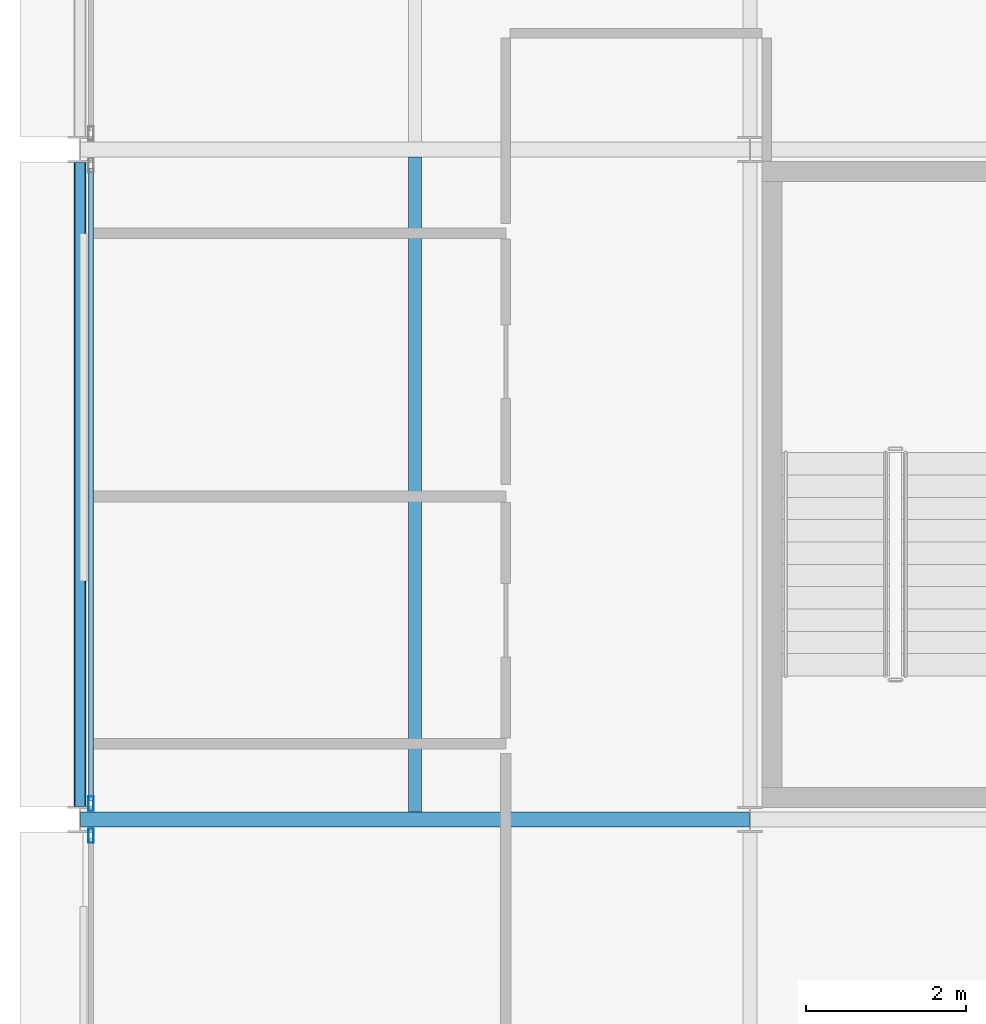
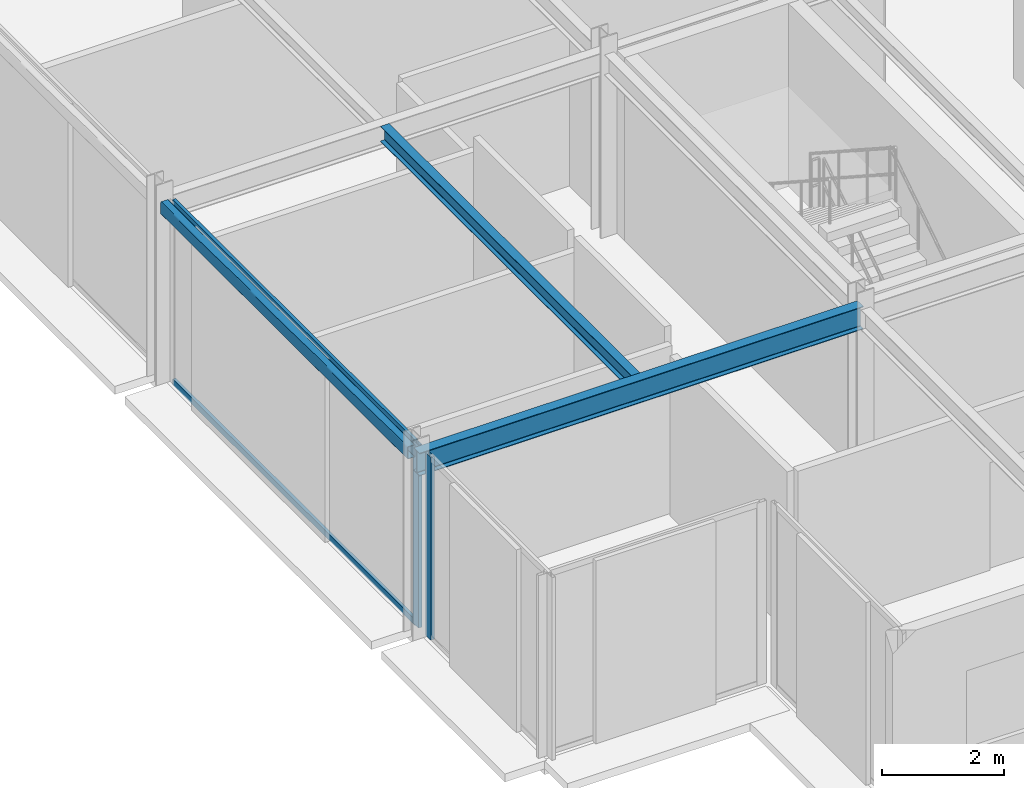
# One storey, part 5 of 25: 4 members, 3 beams, 2 elements without a shape of their own.
"""IFC4 building model written with IfcOpenShell, lengths in metres."""

import ifcopenshell
import ifcopenshell.guid

model = None  # the IFC model being written
_history = None  # IfcOwnerHistory: only IFC2X3 demands one
_inside = {}  # id of a spatial element -> (the spatial element, [elements in it])
_under = {}  # id of a project, library or spatial element -> (it, [spatial elements below it])
_declared = {}  # id of a project -> (the project, [libraries it declares])
_typed = {}  # id of a type object -> (the type object, [elements of that type])
_made_of = {}  # id of a material, layer set ... -> (it, [elements and type objects made of it])


def new_model(schema):
    """Start an empty IFC model of exactly this schema.

    Asked for "IFC4X3", IfcOpenShell would pick the latest addendum, in which some entities
    have other attributes; the version numbers below select the first issue.
    IFC2X3 requires an IfcOwnerHistory on every rooted entity: one is made here for all.
    """
    global model, _history
    if schema == "IFC4X3":
        model = ifcopenshell.file(schema_version=(4, 3, 0, 0))
    else:
        model = ifcopenshell.file(schema=schema)
    _inside.clear()
    _under.clear()
    _declared.clear()
    _typed.clear()
    _made_of.clear()
    _history = None
    if model.schema == "IFC2X3":
        org = make("IfcOrganization", Name="unknown")
        user = make(
            "IfcPersonAndOrganization",
            ThePerson=make("IfcPerson", FamilyName="unknown"),
            TheOrganization=org,
        )
        app = make(
            "IfcApplication",
            ApplicationDeveloper=org,
            Version="unknown",
            ApplicationFullName="unknown",
            ApplicationIdentifier="unknown",
        )
        _history = make(
            "IfcOwnerHistory",
            OwningUser=user,
            OwningApplication=app,
            ChangeAction="ADDED",
            CreationDate=0,
        )
    return model


def make(cls, **values):
    """One entity of the class cls with the attributes given. An attribute that is None is left unset."""
    return model.create_entity(
        cls, **{name: value for name, value in values.items() if value is not None}
    )


def rooted(cls, **values):
    """An entity with a GlobalId (a new one), such as an element, a storey or a relation."""
    return make(cls, GlobalId=ifcopenshell.guid.new(), OwnerHistory=_history, **values)


def si_unit(unit_type, name, prefix=None):
    """IfcSIUnit, for example si_unit("LENGTHUNIT", "METRE", prefix="MILLI")."""
    return make("IfcSIUnit", UnitType=unit_type, Prefix=prefix, Name=name)


def assignment(units):
    """IfcUnitAssignment: the units of a project."""
    return None if units is None else make("IfcUnitAssignment", Units=units)


def point(xyz):
    """IfcCartesianPoint."""
    return None if xyz is None else make("IfcCartesianPoint", Coordinates=xyz)


def direction(xyz):
    """IfcDirection."""
    return None if xyz is None else make("IfcDirection", DirectionRatios=xyz)


def frame(location, z_axis=None, x_axis=None):
    """IfcAxis2Placement3D, a coordinate frame: its origin and axes. An axis left out is left unset."""
    return make(
        "IfcAxis2Placement3D",
        Location=point(location),
        Axis=direction(z_axis),
        RefDirection=direction(x_axis),
    )


def frame_2d(location, x_axis=None):
    """IfcAxis2Placement2D, a coordinate frame in the plane: its origin and x axis."""
    return make(
        "IfcAxis2Placement2D", Location=point(location), RefDirection=direction(x_axis)
    )


def origin():
    """The frame at (0, 0, 0) with its axes left unset."""
    return frame((0.0, 0.0, 0.0))


def origin_2d():
    """The frame at (0, 0) in the plane with its x axis left unset."""
    return frame_2d((0.0, 0.0))


def place(relative_to, where):
    """IfcLocalPlacement: puts the frame where relative to a parent placement (None: the world)."""
    return make(
        "IfcLocalPlacement", PlacementRelTo=relative_to, RelativePlacement=where
    )


def context(
    kind, dimensions, precision=None, world=None, true_north=None, identifier=None
):
    """IfcGeometricRepresentationContext, for example the 3D "Model" context."""
    return make(
        "IfcGeometricRepresentationContext",
        ContextIdentifier=identifier,
        ContextType=kind,
        CoordinateSpaceDimension=dimensions,
        Precision=precision,
        WorldCoordinateSystem=world,
        TrueNorth=true_north,
    )


def subcontext(parent, identifier, kind, view, scale=None):
    """IfcGeometricRepresentationSubContext, for example "Body" below "Model"."""
    return make(
        "IfcGeometricRepresentationSubContext",
        ContextIdentifier=identifier,
        ContextType=kind,
        ParentContext=parent,
        TargetScale=scale,
        TargetView=view,
    )


def project(units=None, contexts=None):
    """IfcProject with its units and contexts."""
    return rooted(
        "IfcProject",
        Name="project",
        RepresentationContexts=contexts,
        UnitsInContext=assignment(units),
    )


def spatial(cls, under=None, at=None, **own):
    """A site, building, storey or space (cls), placed at a placement, below another one or the project."""
    s = rooted(cls, ObjectPlacement=at, **own)
    if under is not None:
        _under.setdefault(under.id(), (under, []))[1].append(s)
    return s


def profile(cls, at=None, kind="AREA", **sizes):
    """A parametric profile (cls). Its sizes go by their IFC names, for example OverallWidth=200.0."""
    return make(cls, ProfileType=kind, Position=at, **sizes)


def hollow_rectangle(**sizes):
    """IfcRectangleHollowProfileDef."""
    return profile("IfcRectangleHollowProfileDef", **sizes)


def i_section(**sizes):
    """IfcIShapeProfileDef."""
    return profile("IfcIShapeProfileDef", **sizes)


def extrude(swept, where, along, depth):
    """IfcExtrudedAreaSolid: the profile swept, set in the frame where, extruded along a direction by depth."""
    return make(
        "IfcExtrudedAreaSolid",
        SweptArea=swept,
        Position=where,
        ExtrudedDirection=direction(along),
        Depth=depth,
    )


def shape(context_of_items, identifier, shape_type, items):
    """IfcShapeRepresentation: the items that make up one representation, for example the "Body"."""
    return make(
        "IfcShapeRepresentation",
        ContextOfItems=context_of_items,
        RepresentationIdentifier=identifier,
        RepresentationType=shape_type,
        Items=items,
    )


def material(Name=None, Category=None):
    """IfcMaterial."""
    return make("IfcMaterial", Name=Name, Category=Category)


def layer(
    of_material, thickness, ventilated=None, Name=None, Category=None, Priority=None
):
    """IfcMaterialLayer: one layer of a wall or slab, of a material (None: an air gap)."""
    return make(
        "IfcMaterialLayer",
        Material=of_material,
        LayerThickness=thickness,
        IsVentilated=ventilated,
        Name=Name,
        Category=Category,
        Priority=Priority,
    )


def layer_set(layers, Name=None):
    """IfcMaterialLayerSet."""
    return make("IfcMaterialLayerSet", MaterialLayers=layers, LayerSetName=Name)


def material_profile(
    of_material, cross_section, Name=None, Category=None, Priority=None
):
    """IfcMaterialProfile: a cross section and its material."""
    return make(
        "IfcMaterialProfile",
        Name=Name,
        Material=of_material,
        Profile=cross_section,
        Priority=Priority,
        Category=Category,
    )


def profile_set(profiles, Name=None, composite=None):
    """IfcMaterialProfileSet."""
    return make(
        "IfcMaterialProfileSet",
        Name=Name,
        MaterialProfiles=profiles,
        CompositeProfile=composite,
    )


def made_of(thing, what):
    """Note that an element or type object is made of a material, layer set ...; save() writes the relation."""
    if what is not None:
        _made_of.setdefault(what.id(), (what, []))[1].append(thing)
    return thing


def type_object(cls, material=None, **own):
    """A type object (cls), such as IfcWallType, which elements share."""
    return made_of(rooted(cls, **own), material)


def element(
    cls,
    number,
    at=None,
    inside=None,
    cuts=None,
    type_object=None,
    material=None,
    context=None,
    identifier="Body",
    shape_type=None,
    held_by="IfcProductDefinitionShape",
    body=None,
    shapes=None,
    **own,
):
    """One element of the class cls, such as IfcWall. Its Tag is "e" and its number.

    at: its placement. inside: the storey or other place that contains it. cuts: it is an
    opening in that element (IfcRelVoidsElement). A single representation is given by context,
    identifier, shape_type and body (its items); several are given by shapes. held_by: the class
    of the entity that holds the representations. save() writes the other relations.
    """
    e = rooted(cls, Tag="e%d" % number, ObjectPlacement=at, **own)
    if body is not None:
        shapes = [shape(context, identifier, shape_type, body)]
    if shapes is not None:
        e.Representation = make(held_by, Representations=shapes)
    if inside is not None:
        _inside.setdefault(inside.id(), (inside, []))[1].append(e)
    if cuts is not None:
        rooted(
            "IfcRelVoidsElement", RelatingBuildingElement=cuts, RelatedOpeningElement=e
        )
    if type_object is not None:
        _typed.setdefault(type_object.id(), (type_object, []))[1].append(e)
    return made_of(e, material)


def aggregate(whole, parts):
    """IfcRelAggregates: a whole, such as a stair, and the parts it consists of."""
    return rooted("IfcRelAggregates", RelatingObject=whole, RelatedObjects=parts)


def save(model, path):
    """Write the relations noted so far, then the file.

    IfcRelAggregates (storeys below a building ...), IfcRelContainedInSpatialStructure (elements
    in a storey), IfcRelDefinesByType, IfcRelAssociatesMaterial and IfcRelDeclares: one each for
    every whole, place, type object, material and project.
    """
    for whole, parts in _under.values():
        aggregate(whole, parts)
    for where, things in _inside.values():
        rooted(
            "IfcRelContainedInSpatialStructure",
            RelatedElements=things,
            RelatingStructure=where,
        )
    for kind, things in _typed.values():
        rooted("IfcRelDefinesByType", RelatedObjects=things, RelatingType=kind)
    for what, things in _made_of.values():
        rooted("IfcRelAssociatesMaterial", RelatedObjects=things, RelatingMaterial=what)
    for by, libraries in _declared.values():
        rooted("IfcRelDeclares", RelatingContext=by, RelatedDefinitions=libraries)
    model.write(path)


model = new_model("IFC4")

# Units and contexts
model_context = context("Model", 3, precision=1e-05, world=origin(), true_north=direction((0.0, 1.0)))
body_context = subcontext(model_context, "Body", "Model", "MODEL_VIEW")
ifc_project = project(units=[si_unit("LENGTHUNIT", "METRE"), si_unit("AREAUNIT", "SQUARE_METRE"), si_unit("VOLUMEUNIT", "CUBIC_METRE"), si_unit("PLANEANGLEUNIT", "RADIAN"), si_unit("MASSUNIT", "GRAM", prefix="KILO")], contexts=[model_context])

# Site, building, storey
site_placement = place(None, origin())
site = spatial("IfcSite", under=ifc_project, at=site_placement, CompositionType="ELEMENT")
building_placement = place(site_placement, origin())
building = spatial("IfcBuilding", under=site, at=building_placement, Name="Nerrivon Quay Data Exchange", CompositionType="ELEMENT")
storey_placement = place(building_placement, frame((0.0, 0.0, 318.199951171875)))
storey = spatial("IfcBuildingStorey", under=building, at=storey_placement, Name="L76", CompositionType="ELEMENT", Elevation=318.199951171875)

# Beams
ifc_material_1 = material(Name="Steel Grade 350", Category="steel")
ifc_material_profile_1 = material_profile(ifc_material_1, i_section(OverallWidth=0.18994140625, OverallDepth=0.4541015625, WebThickness=0.008544921875, FlangeThickness=0.0126953125, FilletRadius=0.011474609375, at=origin_2d()), Name="460UB67.1")
ifc_profile_set_1 = profile_set([ifc_material_profile_1], Name="Steel Grade 350")
beam_type_1 = type_object("IfcBeamType", Name="BM-G6-460UB67", PredefinedType="BEAM", material=ifc_profile_set_1)
beam_1_placement = place(storey_placement, frame((0.0078125, 8.39990234375, 3.423095703125), z_axis=(1.0, 0.0, 0.0), x_axis=(0.0, 1.0, 0.0)))
element("IfcBeam", 1, at=beam_1_placement, inside=storey, type_object=beam_type_1, Name="L76 EW Girder Y=8.4 (0.0..8.4)", PredefinedType="BEAM", context=body_context, shape_type="SweptSolid", body=[
    extrude(i_section(OverallWidth=0.18994140625, OverallDepth=0.4541015625, WebThickness=0.008544921875, FlangeThickness=0.0126953125, FilletRadius=0.011474609375, at=origin_2d()), origin(), (0.0, 0.0, 1.0), 8.38427734375),
])
ifc_material_profile_2 = material_profile(ifc_material_1, i_section(OverallWidth=0.1650390625, OverallDepth=0.303955078125, WebThickness=0.006103515625, FlangeThickness=0.01025390625, FilletRadius=0.011474609375, at=origin_2d()), Name="310UB40.4")
ifc_profile_set_2 = profile_set([ifc_material_profile_2], Name="Steel Grade 350")
beam_type_2 = type_object("IfcBeamType", Name="BM-J6-310UB40", PredefinedType="JOIST", material=ifc_profile_set_2)
beam_2_placement = place(storey_placement, frame((4.199951171875, 8.4951171875, 3.498046875), z_axis=(0.0, 1.0, 0.0), x_axis=(-1.0, 0.0, 0.0)))
element("IfcBeam", 2, at=beam_2_placement, inside=storey, type_object=beam_type_2, Name="L76 Secondary Joist X=4.2 (8.4..16.8)", PredefinedType="JOIST", context=body_context, shape_type="SweptSolid", body=[
    extrude(i_section(OverallWidth=0.1650390625, OverallDepth=0.303955078125, WebThickness=0.006103515625, FlangeThickness=0.01025390625, FilletRadius=0.011474609375, at=origin_2d()), origin(), (0.0, 0.0, 1.0), 8.2099609375),
])
ifc_material_2 = material(Name="Steel Grade C350L0 (350 MPa)", Category="steel")
ifc_material_profile_3 = material_profile(ifc_material_2, hollow_rectangle(XDim=0.14990234375, YDim=0.25, WallThickness=0.009033203125, InnerFilletRadius=0.013427734375, OuterFilletRadius=0.0224609375, at=origin_2d()), Name="250x150x9.0RHS")
ifc_profile_set_3 = profile_set([ifc_material_profile_3], Name="Steel Grade C350L0 (350 MPa)")
beam_type_3 = type_object("IfcBeamType", Name="BM-SP4-250x150RHS", PredefinedType="SPANDREL", material=ifc_profile_set_3)
beam_3_placement = place(storey_placement, frame((0.0, 8.5634765625, 3.525146484375), z_axis=(0.0, 1.0, 0.0), x_axis=(-1.0, 0.0, 0.0)))
element("IfcBeam", 3, at=beam_3_placement, inside=storey, type_object=beam_type_3, Name="L76 NS Girder X=0.0 (8.4..16.8)", PredefinedType="SPANDREL", context=body_context, shape_type="SweptSolid", body=[
    extrude(hollow_rectangle(XDim=0.14990234375, YDim=0.25, WallThickness=0.009033203125, InnerFilletRadius=0.013427734375, OuterFilletRadius=0.0224609375, at=origin_2d()), origin(), (0.0, 0.0, 1.0), 8.072998046875),
])

# Curtain wall, member
ifc_material_3 = material(Name="Anodised aluminium 6063-T6", Category="aluminium")
ifc_layer = layer(ifc_material_3, 0.195068359375)
ifc_layer_set = layer_set([ifc_layer], Name="Anodised aluminium 6063-T6")
curtain_wall_type = type_object("IfcCurtainWallType", Name="CW-SYS-06", PredefinedType="NOTDEFINED", material=ifc_layer_set)
curtain_wall_1_placement = place(storey_placement, origin())
curtain_wall_1 = element("IfcCurtainWall", 4, at=curtain_wall_1_placement, inside=storey, type_object=curtain_wall_type, Name="L76 Unitised Curtain Wall 8", PredefinedType="NOTDEFINED")
ifc_material_profile_4 = material_profile(ifc_material_3, hollow_rectangle(XDim=0.06494140625, YDim=0.179931640625, WallThickness=0.00341796875, at=origin_2d()), Name="ALU-MULL-180x65")
ifc_profile_set_4 = profile_set([ifc_material_profile_4], Name="Anodised aluminium 6063-T6")
member_type_1 = type_object("IfcMemberType", Name="CWM-180x65", PredefinedType="MULLION", material=ifc_profile_set_4)
member_1_placement = place(storey_placement, frame((0.139892578125, 8.198974609375, 0.0), z_axis=(0.0, 0.0, 1.0), x_axis=(-1.0, 0.0, 0.0)))
member_1 = element("IfcMember", 5, at=member_1_placement, type_object=member_type_1, Name="CW06 mullion 2", PredefinedType="MULLION", context=body_context, shape_type="SweptSolid", body=[
    extrude(hollow_rectangle(XDim=0.06494140625, YDim=0.179931640625, WallThickness=0.00341796875, at=origin_2d()), origin(), (0.0, 0.0, 1.0), 3.650146484375),
])
aggregate(curtain_wall_1, [member_1])

# Curtain wall, members
curtain_wall_2_placement = place(storey_placement, origin())
curtain_wall_2 = element("IfcCurtainWall", 6, at=curtain_wall_2_placement, inside=storey, type_object=curtain_wall_type, Name="L76 Unitised Curtain Wall 9", PredefinedType="NOTDEFINED")
member_2_placement = place(storey_placement, frame((0.139892578125, 8.60107421875, 0.0), z_axis=(0.0, 0.0, 1.0), x_axis=(-1.0, 0.0, 0.0)))
member_2 = element("IfcMember", 7, at=member_2_placement, type_object=member_type_1, Name="CW06 mullion 1", PredefinedType="MULLION", context=body_context, shape_type="SweptSolid", body=[
    extrude(hollow_rectangle(XDim=0.06494140625, YDim=0.179931640625, WallThickness=0.00341796875, at=origin_2d()), origin(), (0.0, 0.0, 1.0), 3.650146484375),
])
ifc_material_profile_5 = material_profile(ifc_material_3, hollow_rectangle(XDim=0.06005859375, YDim=0.1201171875, WallThickness=0.003173828125, at=origin_2d()), Name="ALU-TRAN-120x60")
ifc_profile_set_5 = profile_set([ifc_material_profile_5], Name="Anodised aluminium 6063-T6")
member_type_2 = type_object("IfcMemberType", Name="CWT-120x60", PredefinedType="USERDEFINED", material=ifc_profile_set_5)
member_3_placement = place(storey_placement, frame((0.139892578125, 8.638427734375, 0.032470703125), z_axis=(0.0, 1.0, 0.0), x_axis=(-1.0, 0.0, 0.0)))
member_3 = element("IfcMember", 8, at=member_3_placement, type_object=member_type_2, Name="CW06 transom 1.1", ObjectType="TRANSOM", PredefinedType="USERDEFINED", context=body_context, shape_type="SweptSolid", body=[
    extrude(hollow_rectangle(XDim=0.06005859375, YDim=0.1201171875, WallThickness=0.003173828125, at=origin_2d()), origin(), (0.0, 0.0, 1.0), 7.923095703125),
])
member_4_placement = place(storey_placement, frame((0.139892578125, 8.638427734375, 3.617431640625), z_axis=(0.0, 1.0, 0.0), x_axis=(-1.0, 0.0, 0.0)))
member_4 = element("IfcMember", 9, at=member_4_placement, type_object=member_type_2, Name="CW06 transom 1.2", ObjectType="TRANSOM", PredefinedType="USERDEFINED", context=body_context, shape_type="SweptSolid", body=[
    extrude(hollow_rectangle(XDim=0.06005859375, YDim=0.1201171875, WallThickness=0.003173828125, at=origin_2d()), origin(), (0.0, 0.0, 1.0), 7.923095703125),
])
aggregate(curtain_wall_2, [member_2, member_3, member_4])

save(model, "model.ifc")
